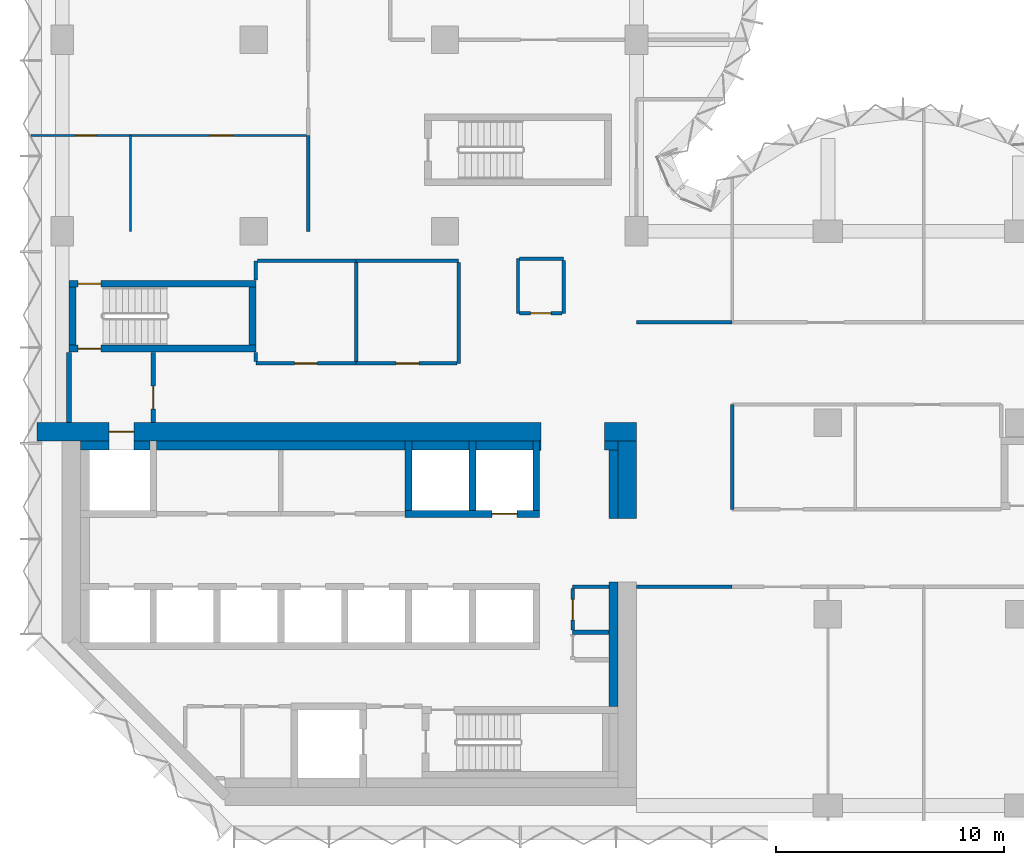
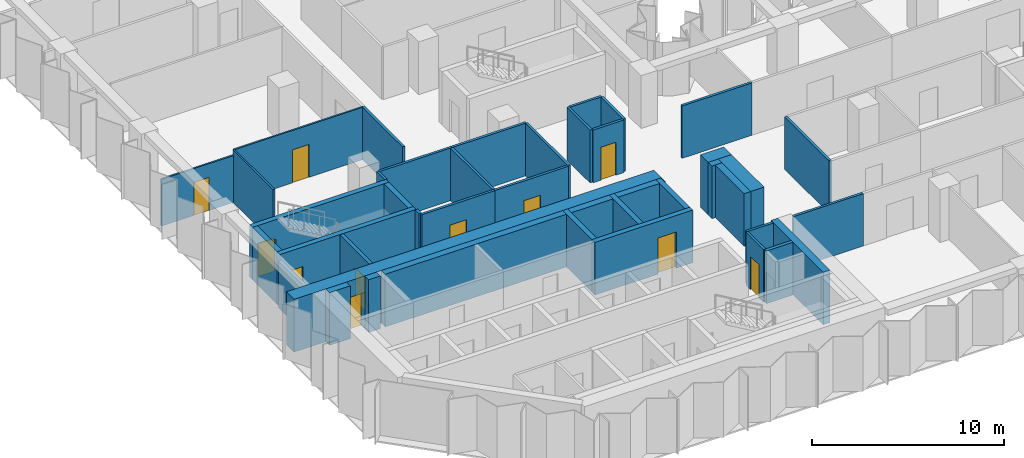
# One storey, part 8 of 13: 44 walls, 11 doors, 11 openings.
"""IFC4 building model written with IfcOpenShell, lengths in metres."""

from ifc_helpers import new_model, si_unit, direction, frame, frame_2d, origin, place, context, subcontext, project, spatial, rectangle, extrude, material, layer, layer_set, type_object, element, fill, save


model = new_model("IFC4")

# Units and contexts
model_context = context("Model", 3, precision=1e-05, world=origin(), true_north=direction((0.0, 1.0)))
body_context = subcontext(model_context, "Body", "Model", "MODEL_VIEW")
ifc_project = project(units=[si_unit("LENGTHUNIT", "METRE"), si_unit("AREAUNIT", "SQUARE_METRE"), si_unit("VOLUMEUNIT", "CUBIC_METRE"), si_unit("PLANEANGLEUNIT", "RADIAN"), si_unit("MASSUNIT", "GRAM", prefix="KILO")], contexts=[model_context])

# Site, building, storey
site_placement = place(None, origin())
site = spatial("IfcSite", under=ifc_project, at=site_placement, CompositionType="ELEMENT")
building_placement = place(site_placement, origin())
building = spatial("IfcBuilding", under=site, at=building_placement, Name="Brevane Broadcast Tower", CompositionType="ELEMENT")
storey_placement = place(building_placement, frame((0.0, 0.0, 91.699951171875)))
storey = spatial("IfcBuildingStorey", under=building, at=storey_placement, Name="L21", CompositionType="ELEMENT", Elevation=91.699951171875)

# Walls
ifc_material_1 = material(Name="Concrete C32/40", Category="concrete")
ifc_layer_1 = layer(ifc_material_1, 0.39990234375)
ifc_layer_set_1 = layer_set([ifc_layer_1], Name="Core chase wall 400 mm")
wall_type_1 = type_object("IfcWallType", Name="Core chase wall 400 mm", PredefinedType="PARTITIONING", material=ifc_layer_set_1)
wall_1_placement = place(storey_placement, frame((24.199951171875, 12.60009765625, 0.0), z_axis=(0.0, 0.0, 1.0), x_axis=(0.0, 1.0, 0.0)))
element("IfcWall", 1, at=wall_1_placement, inside=storey, type_object=wall_type_1, Name="L21 chase wall LE2", PredefinedType="PARTITIONING", context=body_context, shape_type="SweptSolid", body=[
    extrude(rectangle(XDim=3.0, YDim=0.39990234375, at=frame_2d((1.5, 0.0))), origin(), (0.0, 0.0, 1.0), 3.35009765625),
])
wall_2_placement = place(storey_placement, frame((0.800048828125, 15.800048828125, 0.0), z_axis=(0.0, 0.0, 1.0), x_axis=(1.0, 0.0, 0.0)))
element("IfcWall", 2, at=wall_2_placement, inside=storey, type_object=wall_type_1, Name="L21 chase wall LN0", PredefinedType="PARTITIONING", context=body_context, shape_type="SweptSolid", body=[
    extrude(rectangle(XDim=1.25, YDim=0.39990234375, at=frame_2d((0.625, 0.0))), origin(), (0.0, 0.0, 1.0), 3.35009765625),
])
wall_3_placement = place(storey_placement, frame((23.800048828125, 15.800048828125, 0.0), z_axis=(0.0, 0.0, 1.0), x_axis=(1.0, 0.0, 0.0)))
element("IfcWall", 3, at=wall_3_placement, inside=storey, type_object=wall_type_1, Name="L21 chase wall LN2", PredefinedType="PARTITIONING", context=body_context, shape_type="SweptSolid", body=[
    extrude(rectangle(XDim=0.599853515625, YDim=0.39990234375, at=frame_2d((0.2998046875, 0.0))), origin(), (0.0, 0.0, 1.0), 3.35009765625),
])
wall_4_placement = place(storey_placement, frame((3.14990234375, 15.800048828125, 0.0), z_axis=(0.0, 0.0, 1.0), x_axis=(1.0, 0.0, 0.0)))
element("IfcWall", 4, at=wall_4_placement, inside=storey, type_object=wall_type_1, Name="L21 chase wall LN1-1", PredefinedType="PARTITIONING", context=body_context, shape_type="SweptSolid", body=[
    extrude(rectangle(XDim=0.7001953125, YDim=0.39990234375, at=frame_2d((0.35009765625, 0.0))), origin(), (0.0, 0.0, 1.0), 3.35009765625),
])
wall_5_placement = place(storey_placement, frame((4.14990234375, 15.800048828125, 0.0), z_axis=(0.0, 0.0, 1.0), x_axis=(1.0, 0.0, 0.0)))
element("IfcWall", 5, at=wall_5_placement, inside=storey, type_object=wall_type_1, Name="L21 chase wall LN1-2-1", PredefinedType="PARTITIONING", context=body_context, shape_type="SweptSolid", body=[
    extrude(rectangle(XDim=10.900146484375, YDim=0.39990234375, at=frame_2d((5.4501953125, 0.0))), origin(), (0.0, 0.0, 1.0), 3.35009765625),
])
for number, where, z_axis, x_axis, name in (
    (6, (15.35009765625, 15.800048828125, 0.0), (0.0, 0.0, 1.0), (1.0, 0.0, 0.0), "L21 chase wall LN1-2-2-1"),
    (7, (18.14990234375, 15.800048828125, 0.0), (0.0, 0.0, 1.0), (1.0, 0.0, 0.0), "L21 chase wall LN1-2-2-2-1"),
):
    element("IfcWall", number, at=place(storey_placement, frame(where, z_axis=z_axis, x_axis=x_axis)), inside=storey, type_object=wall_type_1, Name=name, PredefinedType="PARTITIONING", context=body_context, shape_type="SweptSolid", body=[
        extrude(rectangle(XDim=2.5, YDim=0.39990234375, at=frame_2d((1.25, 0.0))), origin(), (0.0, 0.0, 1.0), 3.35009765625),
    ])
wall_6_placement = place(storey_placement, frame((20.949951171875, 15.800048828125, 0.0), z_axis=(0.0, 0.0, 1.0), x_axis=(1.0, 0.0, 0.0)))
element("IfcWall", 8, at=wall_6_placement, inside=storey, type_object=wall_type_1, Name="L21 chase wall LN1-2-2-2-2", PredefinedType="PARTITIONING", context=body_context, shape_type="SweptSolid", body=[
    extrude(rectangle(XDim=0.050048828125, YDim=0.39990234375, at=frame_2d((0.02490234375, 0.0))), origin(), (0.0, 0.0, 1.0), 3.35009765625),
])
wall_7_placement = place(storey_placement, frame((24.199951171875, 4.35009765625, 0.0), z_axis=(0.0, 0.0, 1.0), x_axis=(0.0, 1.0, 0.0)))
element("IfcWall", 9, at=wall_7_placement, inside=storey, type_object=wall_type_1, Name="L21 chase wall LE1-2-2", PredefinedType="PARTITIONING", context=body_context, shape_type="SweptSolid", body=[
    extrude(rectangle(XDim=5.449951171875, YDim=0.39990234375, at=frame_2d((2.72509765625, 0.0))), origin(), (0.0, 0.0, 1.0), 3.35009765625),
])

# Wall, opening, door
ifc_material_2 = material(Name="Gypsum board on steel studs", Category="steel")
ifc_layer_2 = layer(ifc_material_2, 0.14990234375)
ifc_layer_set_2 = layer_set([ifc_layer_2], Name="Core fire partition 150 mm")
wall_type_2 = type_object("IfcWallType", Name="Core fire partition 150 mm", PredefinedType="PARTITIONING", material=ifc_layer_set_2)
wall_8_placement = place(storey_placement, frame((12.89990234375, 19.39990234375, 0.0), z_axis=(0.0, 0.0, 1.0), x_axis=(-1.0, 0.0, 0.0)))
wall_8 = element("IfcWall", 10, at=wall_8_placement, inside=storey, type_object=wall_type_2, Name="L21 partition wall P15", PredefinedType="PARTITIONING", context=body_context, shape_type="SweptSolid", body=[
    extrude(rectangle(XDim=4.39990234375, YDim=0.14990234375, at=frame_2d((2.199951171875, 0.0))), origin(), (0.0, 0.0, 1.0), 3.35009765625),
])
opening_1_placement = place(wall_8_placement, frame((1.699951171875, 0.0, 0.0)))
opening_1 = element("IfcOpeningElement", 11, at=opening_1_placement, cuts=wall_8, Name="Opening L21-K25", PredefinedType="OPENING", context=body_context, shape_type="SweptSolid", body=[
    extrude(rectangle(XDim=1.0, YDim=2.10009765625, at=frame_2d((0.5, 1.050048828125))), frame((0.0, 0.0849609375, 0.0), z_axis=(0.0, -1.0, 0.0), x_axis=(1.0, 0.0, 0.0)), (0.0, 0.0, 1.0), 0.169921875),
])
ifc_material_3 = material(Name="Steel", Category="steel")
door_type_1 = type_object("IfcDoorType", Name="Service room door 1000 x 2100", OperationType="SINGLE_SWING_LEFT", PredefinedType="DOOR", material=ifc_material_3)
door_1_placement = place(opening_1_placement, origin())
door_1 = element("IfcDoor", 12, at=door_1_placement, inside=storey, type_object=door_type_1, Name="Door L21-K25", OperationType="SINGLE_SWING_LEFT", OverallHeight=2.10009765625, OverallWidth=1.0, PredefinedType="DOOR", context=body_context, shape_type="SweptSolid", body=[
    extrude(rectangle(XDim=1.0, YDim=2.10009765625, at=frame_2d((0.5, 1.050048828125))), frame((0.0, 0.02490234375, 0.0), z_axis=(0.0, -1.0, 0.0), x_axis=(1.0, 0.0, 0.0)), (0.0, 0.0, 1.0), 0.050048828125),
])
fill(opening_1, door_1)

# Walls
wall_9_placement = place(storey_placement, frame((8.5, 19.47509765625, 0.0), z_axis=(0.0, 0.0, 1.0), x_axis=(0.0, 1.0, 0.0)))
element("IfcWall", 13, at=wall_9_placement, inside=storey, type_object=wall_type_2, Name="L21 partition wall P16", PredefinedType="PARTITIONING", context=body_context, shape_type="SweptSolid", body=[
    extrude(rectangle(XDim=0.412841796875, YDim=0.14990234375, at=frame_2d((0.20654296875, 0.0))), origin(), (0.0, 0.0, 1.0), 3.35009765625),
])
wall_10_placement = place(storey_placement, frame((8.5, 23.06201171875, 0.0), z_axis=(0.0, 0.0, 1.0), x_axis=(0.0, 1.0, 0.0)))
element("IfcWall", 14, at=wall_10_placement, inside=storey, type_object=wall_type_2, Name="L21 partition wall P17", PredefinedType="PARTITIONING", context=body_context, shape_type="SweptSolid", body=[
    extrude(rectangle(XDim=0.837890625, YDim=0.14990234375, at=frame_2d((0.4189453125, 0.0))), origin(), (0.0, 0.0, 1.0), 3.35009765625),
])
wall_11_placement = place(storey_placement, frame((8.574951171875, 23.89990234375, 0.0), z_axis=(0.0, 0.0, 1.0), x_axis=(1.0, 0.0, 0.0)))
element("IfcWall", 15, at=wall_11_placement, inside=storey, type_object=wall_type_2, Name="L21 partition wall P18", PredefinedType="PARTITIONING", context=body_context, shape_type="SweptSolid", body=[
    extrude(rectangle(XDim=4.324951171875, YDim=0.14990234375, at=frame_2d((2.16259765625, 0.0))), origin(), (0.0, 0.0, 1.0), 3.35009765625),
])
wall_12_placement = place(storey_placement, frame((12.89990234375, 23.89990234375, 0.0), z_axis=(0.0, 0.0, 1.0), x_axis=(1.0, 0.0, 0.0)))
element("IfcWall", 16, at=wall_12_placement, inside=storey, type_object=wall_type_2, Name="L21 partition wall P19", PredefinedType="PARTITIONING", context=body_context, shape_type="SweptSolid", body=[
    extrude(rectangle(XDim=4.5, YDim=0.14990234375, at=frame_2d((2.25, 0.0))), origin(), (0.0, 0.0, 1.0), 3.35009765625),
])
wall_13_placement = place(storey_placement, frame((17.39990234375, 23.824951171875, 0.0), z_axis=(0.0, 0.0, 1.0), x_axis=(0.0, -1.0, 0.0)))
element("IfcWall", 17, at=wall_13_placement, inside=storey, type_object=wall_type_2, Name="L21 partition wall P20", PredefinedType="PARTITIONING", context=body_context, shape_type="SweptSolid", body=[
    extrude(rectangle(XDim=4.425048828125, YDim=0.14990234375, at=frame_2d((2.21240234375, 0.0))), origin(), (0.0, 0.0, 1.0), 3.35009765625),
])

# Wall, opening, door
wall_14_placement = place(storey_placement, frame((17.324951171875, 19.39990234375, 0.0), z_axis=(0.0, 0.0, 1.0), x_axis=(-1.0, 0.0, 0.0)))
wall_14 = element("IfcWall", 18, at=wall_14_placement, inside=storey, type_object=wall_type_2, Name="L21 partition wall P21", PredefinedType="PARTITIONING", context=body_context, shape_type="SweptSolid", body=[
    extrude(rectangle(XDim=4.425048828125, YDim=0.14990234375, at=frame_2d((2.21240234375, 0.0))), origin(), (0.0, 0.0, 1.0), 3.35009765625),
])
opening_2_placement = place(wall_14_placement, frame((1.675048828125, 0.0, 0.0)))
opening_2 = element("IfcOpeningElement", 19, at=opening_2_placement, cuts=wall_14, Name="Opening L21-K26", PredefinedType="OPENING", context=body_context, shape_type="SweptSolid", body=[
    extrude(rectangle(XDim=1.0, YDim=2.10009765625, at=frame_2d((0.5, 1.050048828125))), frame((0.0, 0.0849609375, 0.0), z_axis=(0.0, -1.0, 0.0), x_axis=(1.0, 0.0, 0.0)), (0.0, 0.0, 1.0), 0.169921875),
])
door_2_placement = place(opening_2_placement, origin())
door_2 = element("IfcDoor", 20, at=door_2_placement, inside=storey, type_object=door_type_1, Name="Door L21-K26", OperationType="SINGLE_SWING_RIGHT", OverallHeight=2.10009765625, OverallWidth=1.0, PredefinedType="DOOR", context=body_context, shape_type="SweptSolid", body=[
    extrude(rectangle(XDim=1.0, YDim=2.10009765625, at=frame_2d((0.5, 1.050048828125))), frame((0.0, 0.02490234375, 0.0), z_axis=(0.0, -1.0, 0.0), x_axis=(1.0, 0.0, 0.0)), (0.0, 0.0, 1.0), 0.050048828125),
])
fill(opening_2, door_2)

# Walls
wall_15_placement = place(storey_placement, frame((12.89990234375, 23.824951171875, 0.0), z_axis=(0.0, 0.0, 1.0), x_axis=(0.0, -1.0, 0.0)))
element("IfcWall", 21, at=wall_15_placement, inside=storey, type_object=wall_type_2, Name="L21 partition wall P22", PredefinedType="PARTITIONING", context=body_context, shape_type="SweptSolid", body=[
    extrude(rectangle(XDim=4.349853515625, YDim=0.14990234375, at=frame_2d((2.1748046875, 0.0))), origin(), (0.0, 0.0, 1.0), 3.35009765625),
])
wall_16_placement = place(storey_placement, frame((23.988037109375, 9.60009765625, 0.0), z_axis=(0.0, 0.0, 1.0), x_axis=(-1.0, 0.0, 0.0)))
element("IfcWall", 22, at=wall_16_placement, inside=storey, type_object=wall_type_2, Name="L21 partition wall P23", PredefinedType="PARTITIONING", context=body_context, shape_type="SweptSolid", body=[
    extrude(rectangle(XDim=1.588134765625, YDim=0.14990234375, at=frame_2d((0.7939453125, 0.0))), origin(), (0.0, 0.0, 1.0), 3.35009765625),
])

# Wall, opening, door
wall_17_placement = place(storey_placement, frame((22.39990234375, 9.52490234375, 0.0), z_axis=(0.0, 0.0, 1.0), x_axis=(0.0, -1.0, 0.0)))
wall_17 = element("IfcWall", 23, at=wall_17_placement, inside=storey, type_object=wall_type_2, Name="L21 partition wall P24", PredefinedType="PARTITIONING", context=body_context, shape_type="SweptSolid", body=[
    extrude(rectangle(XDim=1.824951171875, YDim=0.14990234375, at=frame_2d((0.91259765625, 0.0))), origin(), (0.0, 0.0, 1.0), 3.35009765625),
])
opening_3_placement = place(wall_17_placement, frame((0.47509765625, 0.0, 0.0)))
opening_3 = element("IfcOpeningElement", 24, at=opening_3_placement, cuts=wall_17, Name="Opening L21-K20", PredefinedType="OPENING", context=body_context, shape_type="SweptSolid", body=[
    extrude(rectangle(XDim=0.89990234375, YDim=2.10009765625, at=frame_2d((0.449951171875, 1.050048828125))), frame((0.0, 0.0849609375, 0.0), z_axis=(0.0, -1.0, 0.0), x_axis=(1.0, 0.0, 0.0)), (0.0, 0.0, 1.0), 0.169921875),
])
door_type_2 = type_object("IfcDoorType", Name="Service room door 900 x 2100", OperationType="SINGLE_SWING_LEFT", PredefinedType="DOOR", material=ifc_material_3)
door_3_placement = place(opening_3_placement, origin())
door_3 = element("IfcDoor", 25, at=door_3_placement, inside=storey, type_object=door_type_2, Name="Door L21-K20", OperationType="SINGLE_SWING_RIGHT", OverallHeight=2.10009765625, OverallWidth=0.89990234375, PredefinedType="DOOR", context=body_context, shape_type="SweptSolid", body=[
    extrude(rectangle(XDim=0.89990234375, YDim=2.10009765625, at=frame_2d((0.449951171875, 1.050048828125))), frame((0.0, 0.02490234375, 0.0), z_axis=(0.0, -1.0, 0.0), x_axis=(1.0, 0.0, 0.0)), (0.0, 0.0, 1.0), 0.050048828125),
])
fill(opening_3, door_3)

# Walls
wall_18_placement = place(storey_placement, frame((20.0, 21.60009765625, 0.0), z_axis=(0.0, 0.0, 1.0), x_axis=(0.0, 1.0, 0.0)))
element("IfcWall", 26, at=wall_18_placement, inside=storey, type_object=wall_type_2, Name="L21 partition wall P25", PredefinedType="PARTITIONING", context=body_context, shape_type="SweptSolid", body=[
    extrude(rectangle(XDim=2.39990234375, YDim=0.14990234375, at=frame_2d((1.199951171875, 0.0))), origin(), (0.0, 0.0, 1.0), 3.35009765625),
])
wall_19_placement = place(storey_placement, frame((20.074951171875, 24.0, 0.0), z_axis=(0.0, 0.0, 1.0), x_axis=(1.0, 0.0, 0.0)))
element("IfcWall", 27, at=wall_19_placement, inside=storey, type_object=wall_type_2, Name="L21 partition wall P26", PredefinedType="PARTITIONING", context=body_context, shape_type="SweptSolid", body=[
    extrude(rectangle(XDim=1.925048828125, YDim=0.14990234375, at=frame_2d((0.96240234375, 0.0))), origin(), (0.0, 0.0, 1.0), 3.35009765625),
])
wall_20_placement = place(storey_placement, frame((22.0, 23.925048828125, 0.0), z_axis=(0.0, 0.0, 1.0), x_axis=(0.0, -1.0, 0.0)))
element("IfcWall", 28, at=wall_20_placement, inside=storey, type_object=wall_type_2, Name="L21 partition wall P27", PredefinedType="PARTITIONING", context=body_context, shape_type="SweptSolid", body=[
    extrude(rectangle(XDim=2.324951171875, YDim=0.14990234375, at=frame_2d((1.16259765625, 0.0))), origin(), (0.0, 0.0, 1.0), 3.35009765625),
])

# Wall, opening, door
wall_21_placement = place(storey_placement, frame((21.925048828125, 21.60009765625, 0.0), z_axis=(0.0, 0.0, 1.0), x_axis=(-1.0, 0.0, 0.0)))
wall_21 = element("IfcWall", 29, at=wall_21_placement, inside=storey, type_object=wall_type_2, Name="L21 partition wall P28", PredefinedType="PARTITIONING", context=body_context, shape_type="SweptSolid", body=[
    extrude(rectangle(XDim=1.85009765625, YDim=0.14990234375, at=frame_2d((0.925048828125, 0.0))), origin(), (0.0, 0.0, 1.0), 3.35009765625),
])
opening_4_placement = place(wall_21_placement, frame((0.47509765625, 0.0, 0.0)))
opening_4 = element("IfcOpeningElement", 30, at=opening_4_placement, cuts=wall_21, Name="Opening L21-K24", PredefinedType="OPENING", context=body_context, shape_type="SweptSolid", body=[
    extrude(rectangle(XDim=0.89990234375, YDim=2.10009765625, at=frame_2d((0.449951171875, 1.050048828125))), frame((0.0, 0.0849609375, 0.0), z_axis=(0.0, -1.0, 0.0), x_axis=(1.0, 0.0, 0.0)), (0.0, 0.0, 1.0), 0.169921875),
])
ifc_material_4 = material(Name="Timber", Category="wood")
door_type_3 = type_object("IfcDoorType", Name="Toilet door 900 x 2100", OperationType="SINGLE_SWING_LEFT", PredefinedType="DOOR", material=ifc_material_4)
door_4_placement = place(opening_4_placement, origin())
door_4 = element("IfcDoor", 31, at=door_4_placement, inside=storey, type_object=door_type_3, Name="Door L21-K24", OperationType="SINGLE_SWING_RIGHT", OverallHeight=2.10009765625, OverallWidth=0.89990234375, PredefinedType="DOOR", context=body_context, shape_type="SweptSolid", body=[
    extrude(rectangle(XDim=0.89990234375, YDim=2.10009765625, at=frame_2d((0.449951171875, 1.050048828125))), frame((0.0, 0.02490234375, 0.0), z_axis=(0.0, -1.0, 0.0), x_axis=(1.0, 0.0, 0.0)), (0.0, 0.0, 1.0), 0.050048828125),
])
fill(opening_4, door_4)

# Wall
ifc_layer_3 = layer(ifc_material_2, 0.199951171875)
ifc_layer_set_3 = layer_set([ifc_layer_3], Name="Core fire partition 200 mm")
wall_type_3 = type_object("IfcWallType", Name="Core fire partition 200 mm", PredefinedType="PARTITIONING", material=ifc_layer_set_3)
wall_22_placement = place(storey_placement, frame((0.300048828125, 16.81201171875, 0.0), z_axis=(0.0, 0.0, 1.0), x_axis=(0.0, 1.0, 0.0)))
element("IfcWall", 32, at=wall_22_placement, inside=storey, type_object=wall_type_3, Name="L21 partition wall P01", PredefinedType="PARTITIONING", context=body_context, shape_type="SweptSolid", body=[
    extrude(rectangle(XDim=3.075927734375, YDim=0.199951171875, at=frame_2d((1.5380859375, 0.0))), origin(), (0.0, 0.0, 1.0), 2.97998046875),
])

# Wall, opening, door
wall_23_placement = place(storey_placement, frame((4.0, 19.887939453125, 0.0), z_axis=(0.0, 0.0, 1.0), x_axis=(0.0, -1.0, 0.0)))
wall_23 = element("IfcWall", 33, at=wall_23_placement, inside=storey, type_object=wall_type_3, Name="L21 partition wall P02", PredefinedType="PARTITIONING", context=body_context, shape_type="SweptSolid", body=[
    extrude(rectangle(XDim=3.075927734375, YDim=0.199951171875, at=frame_2d((1.5380859375, 0.0))), origin(), (0.0, 0.0, 1.0), 3.35009765625),
])
opening_5_placement = place(wall_23_placement, frame((1.488037109375, 0.0, 0.0)))
opening_5 = element("IfcOpeningElement", 34, at=opening_5_placement, cuts=wall_23, Name="Opening L21-K23", PredefinedType="OPENING", context=body_context, shape_type="SweptSolid", body=[
    extrude(rectangle(XDim=1.0, YDim=2.10009765625, at=frame_2d((0.5, 1.050048828125))), frame((0.0, 0.10986328125, 0.0), z_axis=(0.0, -1.0, 0.0), x_axis=(1.0, 0.0, 0.0)), (0.0, 0.0, 1.0), 0.219970703125),
])
door_type_4 = type_object("IfcDoorType", Name="Stair door 1000 x 2100", OperationType="SINGLE_SWING_LEFT", PredefinedType="DOOR", material=ifc_material_3)
door_5_placement = place(opening_5_placement, origin())
door_5 = element("IfcDoor", 35, at=door_5_placement, inside=storey, type_object=door_type_4, Name="Door L21-K23", OperationType="SINGLE_SWING_LEFT", OverallHeight=2.10009765625, OverallWidth=1.0, PredefinedType="DOOR", context=body_context, shape_type="SweptSolid", body=[
    extrude(rectangle(XDim=1.0, YDim=2.10009765625, at=frame_2d((0.5, 1.050048828125))), frame((0.0, 0.02490234375, 0.0), z_axis=(0.0, -1.0, 0.0), x_axis=(1.0, 0.0, 0.0)), (0.0, 0.0, 1.0), 0.050048828125),
])
fill(opening_5, door_5)

# Wall
wall_24_placement = place(storey_placement, frame((23.988037109375, 7.60009765625, 0.0), z_axis=(0.0, 0.0, 1.0), x_axis=(-1.0, 0.0, 0.0)))
element("IfcWall", 36, at=wall_24_placement, inside=storey, type_object=wall_type_3, Name="L21 partition wall P07", PredefinedType="PARTITIONING", context=body_context, shape_type="SweptSolid", body=[
    extrude(rectangle(XDim=1.588134765625, YDim=0.199951171875, at=frame_2d((0.7939453125, 0.0))), origin(), (0.0, 0.0, 1.0), 3.35009765625),
])

# Wall, opening, door
ifc_material_5 = material(Name="Concrete C60/75", Category="concrete")
ifc_layer_4 = layer(ifc_material_5, 0.300048828125)
ifc_layer_set_4 = layer_set([ifc_layer_4], Name="Core wall 300 mm C60/75")
wall_type_4 = type_object("IfcWallType", Name="Core wall 300 mm C60/75", PredefinedType="SHEAR", material=ifc_layer_set_4)
wall_25_placement = place(storey_placement, frame((15.050048828125, 12.800048828125, 0.0), z_axis=(0.0, 0.0, 1.0), x_axis=(1.0, 0.0, 0.0)))
wall_25 = element("IfcWall", 37, at=wall_25_placement, inside=storey, type_object=wall_type_4, Name="L21 shaft wall SH-N152-front", PredefinedType="SHEAR", context=body_context, shape_type="SweptSolid", body=[
    extrude(rectangle(XDim=5.89990234375, YDim=0.300048828125, at=frame_2d((2.949951171875, 0.0))), origin(), (0.0, 0.0, 1.0), 3.35009765625),
])
opening_6_placement = place(wall_25_placement, frame((3.800048828125, 0.0, 0.0)))
opening_6 = element("IfcOpeningElement", 38, at=opening_6_placement, cuts=wall_25, Name="Opening LD", PredefinedType="OPENING", context=body_context, shape_type="SweptSolid", body=[
    extrude(rectangle(XDim=1.10009765625, YDim=2.300048828125, at=frame_2d((0.550048828125, 1.14990234375))), frame((0.0, 0.159912109375, 0.0), z_axis=(0.0, -1.0, 0.0), x_axis=(1.0, 0.0, 0.0)), (0.0, 0.0, 1.0), 0.320068359375),
])
ifc_material_6 = material(Name="Stainless steel", Category="steel")
door_type_5 = type_object("IfcDoorType", Name="Lift landing door", OperationType="SLIDING_TO_LEFT", PredefinedType="DOOR", material=ifc_material_6)
door_6_placement = place(opening_6_placement, origin())
door_6 = element("IfcDoor", 39, at=door_6_placement, inside=storey, type_object=door_type_5, Name="Landing door SL1 L21", OperationType="SLIDING_TO_LEFT", OverallHeight=2.300048828125, OverallWidth=1.10009765625, PredefinedType="DOOR", context=body_context, shape_type="SweptSolid", body=[
    extrude(rectangle(XDim=1.10009765625, YDim=2.300048828125, at=frame_2d((0.550048828125, 1.14990234375))), frame((0.0, 0.02490234375, 0.0), z_axis=(0.0, -1.0, 0.0), x_axis=(1.0, 0.0, 0.0)), (0.0, 0.0, 1.0), 0.050048828125),
])
fill(opening_6, door_6)

# Walls
for number, where, z_axis, x_axis, name in (
    (40, (15.199951171875, 12.949951171875, 0.0), (0.0, 0.0, 1.0), (0.0, 1.0, 0.0), "L21 shaft wall SH-N-P152"),
    (41, (18.0, 12.949951171875, 0.0), (0.0, 0.0, 1.0), (0.0, 1.0, 0.0), "L21 shaft wall SH-N-P180"),
    (42, (20.800048828125, 12.949951171875, 0.0), (0.0, 0.0, 1.0), (0.0, 1.0, 0.0), "L21 shaft wall SH-N-P208"),
):
    element("IfcWall", number, at=place(storey_placement, frame(where, z_axis=z_axis, x_axis=x_axis)), inside=storey, type_object=wall_type_4, Name=name, PredefinedType="SHEAR", context=body_context, shape_type="SweptSolid", body=[
        extrude(rectangle(XDim=3.050048828125, YDim=0.300048828125, at=frame_2d((1.52490234375, 0.0))), origin(), (0.0, 0.0, 1.0), 3.35009765625),
    ])

# Wall, opening, door
wall_26_placement = place(storey_placement, frame((8.5, 20.050048828125, 0.0), z_axis=(0.0, 0.0, 1.0), x_axis=(-1.0, 0.0, 0.0)))
wall_26 = element("IfcWall", 43, at=wall_26_placement, inside=storey, type_object=wall_type_4, Name="L21 stair wall ST-1-S", PredefinedType="SHEAR", context=body_context, shape_type="SweptSolid", body=[
    extrude(rectangle(XDim=8.199951171875, YDim=0.300048828125, at=frame_2d((4.10009765625, 0.0))), origin(), (0.0, 0.0, 1.0), 3.35009765625),
])
opening_7_placement = place(wall_26_placement, frame((6.800048828125, 0.0, 0.0)))
opening_7 = element("IfcOpeningElement", 44, at=opening_7_placement, cuts=wall_26, Name="Opening L21-K10", PredefinedType="OPENING", context=body_context, shape_type="SweptSolid", body=[
    extrude(rectangle(XDim=1.0, YDim=2.10009765625, at=frame_2d((0.5, 1.050048828125))), frame((0.0, 0.159912109375, 0.0), z_axis=(0.0, -1.0, 0.0), x_axis=(1.0, 0.0, 0.0)), (0.0, 0.0, 1.0), 0.320068359375),
])
door_7_placement = place(opening_7_placement, origin())
door_7 = element("IfcDoor", 45, at=door_7_placement, inside=storey, type_object=door_type_4, Name="Door L21-K10", OperationType="SINGLE_SWING_RIGHT", OverallHeight=2.10009765625, OverallWidth=1.0, PredefinedType="DOOR", context=body_context, shape_type="SweptSolid", body=[
    extrude(rectangle(XDim=1.0, YDim=2.10009765625, at=frame_2d((0.5, 1.050048828125))), frame((0.0, 0.02490234375, 0.0), z_axis=(0.0, -1.0, 0.0), x_axis=(1.0, 0.0, 0.0)), (0.0, 0.0, 1.0), 0.050048828125),
])
fill(opening_7, door_7)

wall_27_placement = place(storey_placement, frame((0.300048828125, 22.89990234375, 0.0), z_axis=(0.0, 0.0, 1.0), x_axis=(1.0, 0.0, 0.0)))
wall_27 = element("IfcWall", 46, at=wall_27_placement, inside=storey, type_object=wall_type_4, Name="L21 stair wall ST-1-N", PredefinedType="SHEAR", context=body_context, shape_type="SweptSolid", body=[
    extrude(rectangle(XDim=8.199951171875, YDim=0.300048828125, at=frame_2d((4.10009765625, 0.0))), origin(), (0.0, 0.0, 1.0), 3.35009765625),
])
opening_8_placement = place(wall_27_placement, frame((0.39990234375, 0.0, 0.0)))
opening_8 = element("IfcOpeningElement", 47, at=opening_8_placement, cuts=wall_27, Name="Opening L21-K11", PredefinedType="OPENING", context=body_context, shape_type="SweptSolid", body=[
    extrude(rectangle(XDim=1.0, YDim=2.10009765625, at=frame_2d((0.5, 1.050048828125))), frame((0.0, 0.159912109375, 0.0), z_axis=(0.0, -1.0, 0.0), x_axis=(1.0, 0.0, 0.0)), (0.0, 0.0, 1.0), 0.320068359375),
])
door_8_placement = place(opening_8_placement, origin())
door_8 = element("IfcDoor", 48, at=door_8_placement, inside=storey, type_object=door_type_4, Name="Door L21-K11", OperationType="SINGLE_SWING_LEFT", OverallHeight=2.10009765625, OverallWidth=1.0, PredefinedType="DOOR", context=body_context, shape_type="SweptSolid", body=[
    extrude(rectangle(XDim=1.0, YDim=2.10009765625, at=frame_2d((0.5, 1.050048828125))), frame((0.0, 0.02490234375, 0.0), z_axis=(0.0, -1.0, 0.0), x_axis=(1.0, 0.0, 0.0)), (0.0, 0.0, 1.0), 0.050048828125),
])
fill(opening_8, door_8)

# Walls
for number, where, z_axis, x_axis, name in (
    (49, (0.449951171875, 20.199951171875, 0.0), (0.0, 0.0, 1.0), (0.0, 1.0, 0.0), "L21 stair wall ST-1-W"),
    (50, (8.35009765625, 20.199951171875, 0.0), (0.0, 0.0, 1.0), (0.0, 1.0, 0.0), "L21 stair wall ST-1-E"),
):
    element("IfcWall", number, at=place(storey_placement, frame(where, z_axis=z_axis, x_axis=x_axis)), inside=storey, type_object=wall_type_4, Name=name, PredefinedType="SHEAR", context=body_context, shape_type="SweptSolid", body=[
        extrude(rectangle(XDim=2.550048828125, YDim=0.300048828125, at=frame_2d((1.27490234375, 0.0))), origin(), (0.0, 0.0, 1.0), 3.35009765625),
    ])

# Wall, opening, door
ifc_layer_5 = layer(ifc_material_5, 0.800048828125)
ifc_layer_set_5 = layer_set([ifc_layer_5], Name="Core wall 800 mm C60/75")
wall_type_5 = type_object("IfcWallType", Name="Core wall 800 mm C60/75", PredefinedType="SHEAR", material=ifc_layer_set_5)
wall_28_placement = place(storey_placement, frame((-1.10009765625, 16.39990234375, 0.0), z_axis=(0.0, 0.0, 1.0), x_axis=(1.0, 0.0, 0.0)))
wall_28 = element("IfcWall", 51, at=wall_28_placement, inside=storey, type_object=wall_type_5, Name="L21 outer wall WN1", PredefinedType="SHEAR", context=body_context, shape_type="SweptSolid", body=[
    extrude(rectangle(XDim=22.10009765625, YDim=0.800048828125, at=frame_2d((11.050048828125, 0.0))), origin(), (0.0, 0.0, 1.0), 3.35009765625),
])
opening_9_placement = place(wall_28_placement, frame((3.14990234375, 0.0, 0.0)))
opening_9 = element("IfcOpeningElement", 52, at=opening_9_placement, cuts=wall_28, Name="Opening LD", PredefinedType="OPENING", context=body_context, shape_type="SweptSolid", body=[
    extrude(rectangle(XDim=1.10009765625, YDim=2.300048828125, at=frame_2d((0.550048828125, 1.14990234375))), frame((0.0, 0.409912109375, 0.0), z_axis=(0.0, -1.0, 0.0), x_axis=(1.0, 0.0, 0.0)), (0.0, 0.0, 1.0), 0.820068359375),
])
door_9_placement = place(opening_9_placement, origin())
door_9 = element("IfcDoor", 53, at=door_9_placement, inside=storey, type_object=door_type_5, Name="Landing door FF1 L21", OperationType="SLIDING_TO_LEFT", OverallHeight=2.300048828125, OverallWidth=1.10009765625, PredefinedType="DOOR", context=body_context, shape_type="SweptSolid", body=[
    extrude(rectangle(XDim=1.10009765625, YDim=2.300048828125, at=frame_2d((0.550048828125, 1.14990234375))), frame((0.0, 0.02490234375, 0.0), z_axis=(0.0, -1.0, 0.0), x_axis=(1.0, 0.0, 0.0)), (0.0, 0.0, 1.0), 0.050048828125),
])
fill(opening_9, door_9)

# Walls
wall_29_placement = place(storey_placement, frame((23.800048828125, 16.39990234375, 0.0), z_axis=(0.0, 0.0, 1.0), x_axis=(1.0, 0.0, 0.0)))
element("IfcWall", 54, at=wall_29_placement, inside=storey, type_object=wall_type_5, Name="L21 outer wall WN2", PredefinedType="SHEAR", context=body_context, shape_type="SweptSolid", body=[
    extrude(rectangle(XDim=1.39990234375, YDim=0.800048828125, at=frame_2d((0.699951171875, 0.0))), origin(), (0.0, 0.0, 1.0), 3.35009765625),
])
wall_30_placement = place(storey_placement, frame((24.800048828125, 12.60009765625, 0.0), z_axis=(0.0, 0.0, 1.0), x_axis=(0.0, 1.0, 0.0)))
element("IfcWall", 55, at=wall_30_placement, inside=storey, type_object=wall_type_5, Name="L21 outer wall WE2", PredefinedType="SHEAR", context=body_context, shape_type="SweptSolid", body=[
    extrude(rectangle(XDim=3.39990234375, YDim=0.800048828125, at=frame_2d((1.699951171875, 0.0))), origin(), (0.0, 0.0, 1.0), 3.35009765625),
])

# Wall, opening, door
ifc_material_7 = material(Name="Gypsum board partition")
ifc_layer_6 = layer(ifc_material_7, 0.10009765625)
ifc_layer_set_6 = layer_set([ifc_layer_6], Name="PARTITION 100 STUD")
wall_type_6 = type_object("IfcWallType", Name="PARTITION 100 STUD", PredefinedType="PARTITIONING", material=ifc_layer_set_6)
wall_31_placement = place(storey_placement, frame((3.0, 29.39990234375, 0.0), z_axis=(0.0, 0.0, 1.0), x_axis=(-1.0, 0.0, 0.0)))
wall_31 = element("IfcWall", 56, at=wall_31_placement, inside=storey, type_object=wall_type_6, Name="Partition G06-052", PredefinedType="PARTITIONING", context=body_context, shape_type="SweptSolid", body=[
    extrude(rectangle(XDim=4.364990234375, YDim=0.10009765625, at=frame_2d((2.1826171875, 0.0))), origin(), (0.0, 0.0, 1.0), 2.97998046875),
])
opening_10_placement = place(wall_31_placement, frame((1.5, 0.0, 0.0)))
opening_10 = element("IfcOpeningElement", 57, at=opening_10_placement, cuts=wall_31, Name="Opening D13-013", PredefinedType="OPENING", context=body_context, shape_type="SweptSolid", body=[
    extrude(rectangle(XDim=0.89990234375, YDim=2.10009765625, at=frame_2d((0.449951171875, 1.050048828125))), frame((0.0, 0.06005859375, 0.0), z_axis=(0.0, -1.0, 0.0), x_axis=(1.0, 0.0, 0.0)), (0.0, 0.0, 1.0), 0.1201171875),
])
ifc_material_8 = material(Name="Timber door leaf", Category="wood")
door_type_6 = type_object("IfcDoorType", Name="DOOR SINGLE 900 INTERNAL", OperationType="SINGLE_SWING_LEFT", PredefinedType="DOOR", material=ifc_material_8)
door_10_placement = place(opening_10_placement, origin())
door_10 = element("IfcDoor", 58, at=door_10_placement, inside=storey, type_object=door_type_6, Name="Door D13-013", OperationType="SINGLE_SWING_LEFT", OverallHeight=2.10009765625, OverallWidth=0.89990234375, PredefinedType="DOOR", context=body_context, shape_type="SweptSolid", body=[
    extrude(rectangle(XDim=0.89990234375, YDim=2.10009765625, at=frame_2d((0.449951171875, 1.050048828125))), frame((0.0, 0.02490234375, 0.0), z_axis=(0.0, -1.0, 0.0), x_axis=(1.0, 0.0, 0.0)), (0.0, 0.0, 1.0), 0.050048828125),
])
fill(opening_10, door_10)

wall_32_placement = place(storey_placement, frame((10.800048828125, 29.39990234375, 0.0), z_axis=(0.0, 0.0, 1.0), x_axis=(-1.0, 0.0, 0.0)))
wall_32 = element("IfcWall", 59, at=wall_32_placement, inside=storey, type_object=wall_type_6, Name="Partition G06-053", PredefinedType="PARTITIONING", context=body_context, shape_type="SweptSolid", body=[
    extrude(rectangle(XDim=7.800048828125, YDim=0.10009765625, at=frame_2d((3.89990234375, 0.0))), origin(), (0.0, 0.0, 1.0), 3.330078125),
])
opening_11_placement = place(wall_32_placement, frame((3.300048828125, 0.0, 0.0)))
opening_11 = element("IfcOpeningElement", 60, at=opening_11_placement, cuts=wall_32, Name="Opening D13-014", PredefinedType="OPENING", context=body_context, shape_type="SweptSolid", body=[
    extrude(rectangle(XDim=1.0, YDim=2.10009765625, at=frame_2d((0.5, 1.050048828125))), frame((0.0, 0.06005859375, 0.0), z_axis=(0.0, -1.0, 0.0), x_axis=(1.0, 0.0, 0.0)), (0.0, 0.0, 1.0), 0.1201171875),
])
door_type_7 = type_object("IfcDoorType", Name="DOOR SINGLE 1000 INTERNAL", OperationType="SINGLE_SWING_LEFT", PredefinedType="DOOR", material=ifc_material_8)
door_11_placement = place(opening_11_placement, origin())
door_11 = element("IfcDoor", 61, at=door_11_placement, inside=storey, type_object=door_type_7, Name="Door D13-014", OperationType="SINGLE_SWING_LEFT", OverallHeight=2.10009765625, OverallWidth=1.0, PredefinedType="DOOR", context=body_context, shape_type="SweptSolid", body=[
    extrude(rectangle(XDim=1.0, YDim=2.10009765625, at=frame_2d((0.5, 1.050048828125))), frame((0.0, 0.02490234375, 0.0), z_axis=(0.0, -1.0, 0.0), x_axis=(1.0, 0.0, 0.0)), (0.0, 0.0, 1.0), 0.050048828125),
])
fill(opening_11, door_11)

# Walls
wall_33_placement = place(storey_placement, frame((3.0, 29.39990234375, 0.0), z_axis=(0.0, 0.0, 1.0), x_axis=(0.0, -1.0, 0.0)))
element("IfcWall", 62, at=wall_33_placement, inside=storey, type_object=wall_type_6, Name="Partition G06-055", PredefinedType="PARTITIONING", context=body_context, shape_type="SweptSolid", body=[
    extrude(rectangle(XDim=4.199951171875, YDim=0.10009765625, at=frame_2d((2.10009765625, 0.0))), origin(), (0.0, 0.0, 1.0), 3.330078125),
])
ifc_layer_7 = layer(ifc_material_7, 0.14990234375)
ifc_layer_set_7 = layer_set([ifc_layer_7], Name="PARTITION 150 EI 60")
wall_type_7 = type_object("IfcWallType", Name="PARTITION 150 EI 60", PredefinedType="PARTITIONING", material=ifc_layer_set_7)
wall_34_placement = place(storey_placement, frame((25.199951171875, 21.199951171875, 0.0), z_axis=(0.0, 0.0, 1.0), x_axis=(1.0, 0.0, 0.0)))
element("IfcWall", 63, at=wall_34_placement, inside=storey, type_object=wall_type_7, Name="Partition G06-001", PredefinedType="PARTITIONING", context=body_context, shape_type="SweptSolid", body=[
    extrude(rectangle(XDim=4.199951171875, YDim=0.14990234375, at=frame_2d((2.10009765625, 0.0))), origin(), (0.0, 0.0, 1.0), 3.330078125),
])
wall_35_placement = place(storey_placement, frame((29.39990234375, 17.60009765625, 0.0), z_axis=(0.0, 0.0, 1.0), x_axis=(0.0, -1.0, 0.0)))
element("IfcWall", 64, at=wall_35_placement, inside=storey, type_object=wall_type_7, Name="Partition G06-002", PredefinedType="PARTITIONING", context=body_context, shape_type="SweptSolid", body=[
    extrude(rectangle(XDim=4.60009765625, YDim=0.14990234375, at=frame_2d((2.300048828125, 0.0))), origin(), (0.0, 0.0, 1.0), 3.330078125),
])
for number, where, z_axis, x_axis, name in (
    (65, (29.39990234375, 9.60009765625, 0.0), (0.0, 0.0, 1.0), (-1.0, 0.0, 0.0), "Partition G06-003"),
    (66, (10.800048828125, 25.199951171875, 0.0), (0.0, 0.0, 1.0), (0.0, 1.0, 0.0), "Partition G06-032"),
):
    element("IfcWall", number, at=place(storey_placement, frame(where, z_axis=z_axis, x_axis=x_axis)), inside=storey, type_object=wall_type_7, Name=name, PredefinedType="PARTITIONING", context=body_context, shape_type="SweptSolid", body=[
        extrude(rectangle(XDim=4.199951171875, YDim=0.14990234375, at=frame_2d((2.10009765625, 0.0))), origin(), (0.0, 0.0, 1.0), 3.330078125),
    ])

save(model, "model.ifc")
